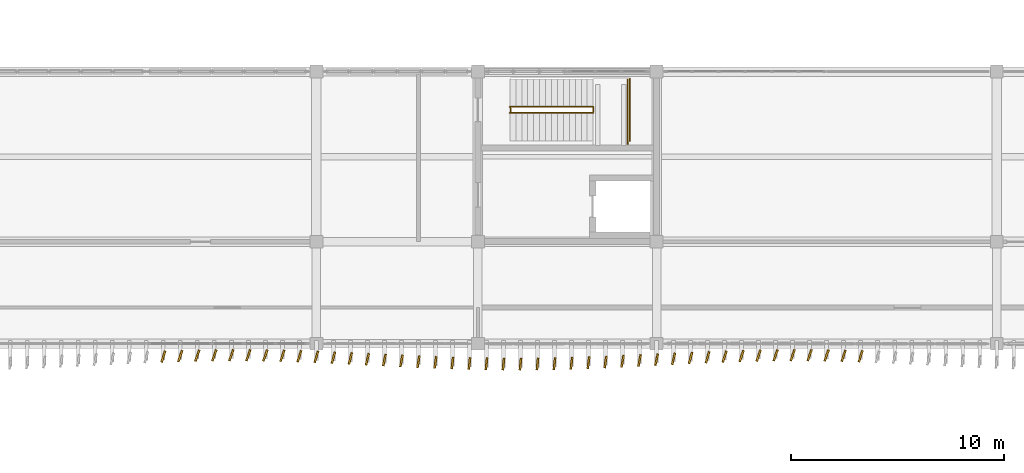
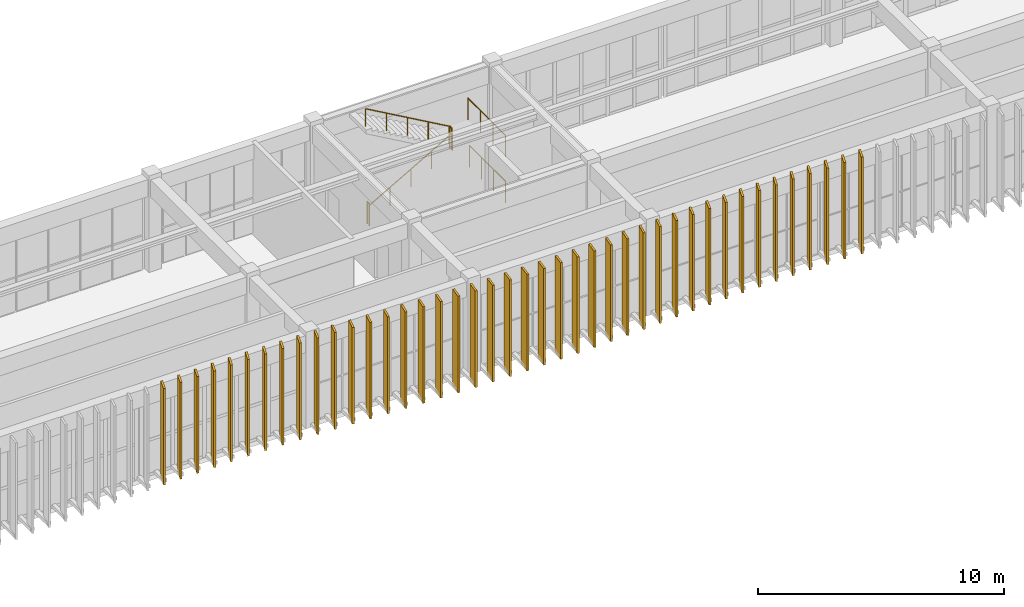
# One storey, part 69 of 76: 42 coverings, 6 railings.
"""IFC4 building model written with IfcOpenShell, lengths in metres."""

import ifcopenshell
import ifcopenshell.guid

model = None  # the IFC model being written
_history = None  # IfcOwnerHistory: only IFC2X3 demands one
_inside = {}  # id of a spatial element -> (the spatial element, [elements in it])
_under = {}  # id of a project, library or spatial element -> (it, [spatial elements below it])
_declared = {}  # id of a project -> (the project, [libraries it declares])
_typed = {}  # id of a type object -> (the type object, [elements of that type])
_made_of = {}  # id of a material, layer set ... -> (it, [elements and type objects made of it])


def new_model(schema):
    """Start an empty IFC model of exactly this schema.

    Asked for "IFC4X3", IfcOpenShell would pick the latest addendum, in which some entities
    have other attributes; the version numbers below select the first issue.
    IFC2X3 requires an IfcOwnerHistory on every rooted entity: one is made here for all.
    """
    global model, _history
    if schema == "IFC4X3":
        model = ifcopenshell.file(schema_version=(4, 3, 0, 0))
    else:
        model = ifcopenshell.file(schema=schema)
    _inside.clear()
    _under.clear()
    _declared.clear()
    _typed.clear()
    _made_of.clear()
    _history = None
    if model.schema == "IFC2X3":
        org = make("IfcOrganization", Name="unknown")
        user = make(
            "IfcPersonAndOrganization",
            ThePerson=make("IfcPerson", FamilyName="unknown"),
            TheOrganization=org,
        )
        app = make(
            "IfcApplication",
            ApplicationDeveloper=org,
            Version="unknown",
            ApplicationFullName="unknown",
            ApplicationIdentifier="unknown",
        )
        _history = make(
            "IfcOwnerHistory",
            OwningUser=user,
            OwningApplication=app,
            ChangeAction="ADDED",
            CreationDate=0,
        )
    return model


def make(cls, **values):
    """One entity of the class cls with the attributes given. An attribute that is None is left unset."""
    return model.create_entity(
        cls, **{name: value for name, value in values.items() if value is not None}
    )


def rooted(cls, **values):
    """An entity with a GlobalId (a new one), such as an element, a storey or a relation."""
    return make(cls, GlobalId=ifcopenshell.guid.new(), OwnerHistory=_history, **values)


def si_unit(unit_type, name, prefix=None):
    """IfcSIUnit, for example si_unit("LENGTHUNIT", "METRE", prefix="MILLI")."""
    return make("IfcSIUnit", UnitType=unit_type, Prefix=prefix, Name=name)


def assignment(units):
    """IfcUnitAssignment: the units of a project."""
    return None if units is None else make("IfcUnitAssignment", Units=units)


def point(xyz):
    """IfcCartesianPoint."""
    return None if xyz is None else make("IfcCartesianPoint", Coordinates=xyz)


def direction(xyz):
    """IfcDirection."""
    return None if xyz is None else make("IfcDirection", DirectionRatios=xyz)


def frame(location, z_axis=None, x_axis=None):
    """IfcAxis2Placement3D, a coordinate frame: its origin and axes. An axis left out is left unset."""
    return make(
        "IfcAxis2Placement3D",
        Location=point(location),
        Axis=direction(z_axis),
        RefDirection=direction(x_axis),
    )


def frame_2d(location, x_axis=None):
    """IfcAxis2Placement2D, a coordinate frame in the plane: its origin and x axis."""
    return make(
        "IfcAxis2Placement2D", Location=point(location), RefDirection=direction(x_axis)
    )


def origin():
    """The frame at (0, 0, 0) with its axes left unset."""
    return frame((0.0, 0.0, 0.0))


def origin_2d():
    """The frame at (0, 0) in the plane with its x axis left unset."""
    return frame_2d((0.0, 0.0))


def place(relative_to, where):
    """IfcLocalPlacement: puts the frame where relative to a parent placement (None: the world)."""
    return make(
        "IfcLocalPlacement", PlacementRelTo=relative_to, RelativePlacement=where
    )


def context(
    kind, dimensions, precision=None, world=None, true_north=None, identifier=None
):
    """IfcGeometricRepresentationContext, for example the 3D "Model" context."""
    return make(
        "IfcGeometricRepresentationContext",
        ContextIdentifier=identifier,
        ContextType=kind,
        CoordinateSpaceDimension=dimensions,
        Precision=precision,
        WorldCoordinateSystem=world,
        TrueNorth=true_north,
    )


def subcontext(parent, identifier, kind, view, scale=None):
    """IfcGeometricRepresentationSubContext, for example "Body" below "Model"."""
    return make(
        "IfcGeometricRepresentationSubContext",
        ContextIdentifier=identifier,
        ContextType=kind,
        ParentContext=parent,
        TargetScale=scale,
        TargetView=view,
    )


def project(units=None, contexts=None):
    """IfcProject with its units and contexts."""
    return rooted(
        "IfcProject",
        Name="project",
        RepresentationContexts=contexts,
        UnitsInContext=assignment(units),
    )


def spatial(cls, under=None, at=None, **own):
    """A site, building, storey or space (cls), placed at a placement, below another one or the project."""
    s = rooted(cls, ObjectPlacement=at, **own)
    if under is not None:
        _under.setdefault(under.id(), (under, []))[1].append(s)
    return s


def profile(cls, at=None, kind="AREA", **sizes):
    """A parametric profile (cls). Its sizes go by their IFC names, for example OverallWidth=200.0."""
    return make(cls, ProfileType=kind, Position=at, **sizes)


def rectangle(**sizes):
    """IfcRectangleProfileDef."""
    return profile("IfcRectangleProfileDef", **sizes)


def circle(**sizes):
    """IfcCircleProfileDef."""
    return profile("IfcCircleProfileDef", **sizes)


def extrude(swept, where, along, depth):
    """IfcExtrudedAreaSolid: the profile swept, set in the frame where, extruded along a direction by depth."""
    return make(
        "IfcExtrudedAreaSolid",
        SweptArea=swept,
        Position=where,
        ExtrudedDirection=direction(along),
        Depth=depth,
    )


def shape(context_of_items, identifier, shape_type, items):
    """IfcShapeRepresentation: the items that make up one representation, for example the "Body"."""
    return make(
        "IfcShapeRepresentation",
        ContextOfItems=context_of_items,
        RepresentationIdentifier=identifier,
        RepresentationType=shape_type,
        Items=items,
    )


def material(Name=None, Category=None):
    """IfcMaterial."""
    return make("IfcMaterial", Name=Name, Category=Category)


def layer(
    of_material, thickness, ventilated=None, Name=None, Category=None, Priority=None
):
    """IfcMaterialLayer: one layer of a wall or slab, of a material (None: an air gap)."""
    return make(
        "IfcMaterialLayer",
        Material=of_material,
        LayerThickness=thickness,
        IsVentilated=ventilated,
        Name=Name,
        Category=Category,
        Priority=Priority,
    )


def layer_set(layers, Name=None):
    """IfcMaterialLayerSet."""
    return make("IfcMaterialLayerSet", MaterialLayers=layers, LayerSetName=Name)


def made_of(thing, what):
    """Note that an element or type object is made of a material, layer set ...; save() writes the relation."""
    if what is not None:
        _made_of.setdefault(what.id(), (what, []))[1].append(thing)
    return thing


def type_object(cls, material=None, **own):
    """A type object (cls), such as IfcWallType, which elements share."""
    return made_of(rooted(cls, **own), material)


def element(
    cls,
    number,
    at=None,
    inside=None,
    cuts=None,
    type_object=None,
    material=None,
    context=None,
    identifier="Body",
    shape_type=None,
    held_by="IfcProductDefinitionShape",
    body=None,
    shapes=None,
    **own,
):
    """One element of the class cls, such as IfcWall. Its Tag is "e" and its number.

    at: its placement. inside: the storey or other place that contains it. cuts: it is an
    opening in that element (IfcRelVoidsElement). A single representation is given by context,
    identifier, shape_type and body (its items); several are given by shapes. held_by: the class
    of the entity that holds the representations. save() writes the other relations.
    """
    e = rooted(cls, Tag="e%d" % number, ObjectPlacement=at, **own)
    if body is not None:
        shapes = [shape(context, identifier, shape_type, body)]
    if shapes is not None:
        e.Representation = make(held_by, Representations=shapes)
    if inside is not None:
        _inside.setdefault(inside.id(), (inside, []))[1].append(e)
    if cuts is not None:
        rooted(
            "IfcRelVoidsElement", RelatingBuildingElement=cuts, RelatedOpeningElement=e
        )
    if type_object is not None:
        _typed.setdefault(type_object.id(), (type_object, []))[1].append(e)
    return made_of(e, material)


def aggregate(whole, parts):
    """IfcRelAggregates: a whole, such as a stair, and the parts it consists of."""
    return rooted("IfcRelAggregates", RelatingObject=whole, RelatedObjects=parts)


def save(model, path):
    """Write the relations noted so far, then the file.

    IfcRelAggregates (storeys below a building ...), IfcRelContainedInSpatialStructure (elements
    in a storey), IfcRelDefinesByType, IfcRelAssociatesMaterial and IfcRelDeclares: one each for
    every whole, place, type object, material and project.
    """
    for whole, parts in _under.values():
        aggregate(whole, parts)
    for where, things in _inside.values():
        rooted(
            "IfcRelContainedInSpatialStructure",
            RelatedElements=things,
            RelatingStructure=where,
        )
    for kind, things in _typed.values():
        rooted("IfcRelDefinesByType", RelatedObjects=things, RelatingType=kind)
    for what, things in _made_of.values():
        rooted("IfcRelAssociatesMaterial", RelatedObjects=things, RelatingMaterial=what)
    for by, libraries in _declared.values():
        rooted("IfcRelDeclares", RelatingContext=by, RelatedDefinitions=libraries)
    model.write(path)


model = new_model("IFC4")

# Units and contexts
model_context = context("Model", 3, precision=1e-05, world=origin(), true_north=direction((0.0, 1.0)))
body_context = subcontext(model_context, "Body", "Model", "MODEL_VIEW")
ifc_project = project(units=[si_unit("LENGTHUNIT", "METRE"), si_unit("AREAUNIT", "SQUARE_METRE"), si_unit("VOLUMEUNIT", "CUBIC_METRE"), si_unit("PLANEANGLEUNIT", "RADIAN"), si_unit("MASSUNIT", "GRAM", prefix="KILO")], contexts=[model_context])

# Site, building, storey
site_placement = place(None, origin())
site = spatial("IfcSite", under=ifc_project, at=site_placement, CompositionType="ELEMENT")
building_placement = place(site_placement, origin())
building = spatial("IfcBuilding", under=site, at=building_placement, Name="Cinchona Park Media Centre", CompositionType="ELEMENT")
storey_placement = place(building_placement, frame((0.0, 0.0, 15.60009765625)))
storey = spatial("IfcBuildingStorey", under=building, at=storey_placement, Name="L03", CompositionType="ELEMENT", Elevation=15.60009765625)

# Coverings
ifc_material_1 = material(Name="Anodised Storm-Resistant Aluminium Fin", Category="aluminium")
ifc_layer = layer(ifc_material_1, 0.090087890625)
ifc_layer_set = layer_set([ifc_layer], Name="Anodised Storm-Resistant Aluminium Fin")
covering_type = type_object("IfcCoveringType", Name="CLADDING-FIN01", PredefinedType="CLADDING", material=ifc_layer_set)
for number, where, z_axis, x_axis, name in (
    (1, (71.60009765625, 74.195068359375, 0.0), (0.0, 0.0, 1.0), (0.306193796821, 0.951969200546, 0.0), "Twisting Vertical Facade Fin L03"),
    (2, (72.39990234375, 74.220947265625, 0.0), (0.0, 0.0, 1.0), (0.320612990586, 0.947210277746, 0.0), "Twisting Vertical Facade Fin L03"),
    (3, (73.199951171875, 74.240966796875, 0.0), (0.0, 0.0, 1.0), (0.331667216146, 0.943396447807, 0.0), "Twisting Vertical Facade Fin L03"),
    (4, (74.0, 74.25390625, 0.0), (0.0, 0.0, 1.0), (0.338737920245, 0.940880768954, 0.0), "Twisting Vertical Facade Fin L03"),
    (5, (74.800048828125, 74.260009765625, 0.0), (0.0, 0.0, 1.0), (0.341856130815, 0.939752300249, 0.0), "Twisting Vertical Facade Fin L03"),
    (6, (75.60009765625, 74.258056640625, 0.0), (0.0, 0.0, 1.0), (0.340871837244, 0.94010977581, 0.0), "Twisting Vertical Facade Fin L03"),
    (7, (76.39990234375, 74.248046875, 0.0), (0.0, 0.0, 1.0), (0.335780389393, 0.941940300709, 0.0), "Twisting Vertical Facade Fin L03"),
    (8, (77.199951171875, 74.23193359375, 0.0), (0.0, 0.0, 1.0), (0.3265581205, 0.945177123049, 0.0), "Twisting Vertical Facade Fin L03"),
    (9, (78.0, 74.208984375, 0.0), (0.0, 0.0, 1.0), (0.31382674518, 0.949480265203, 0.0), "Twisting Vertical Facade Fin L03"),
    (10, (78.800048828125, 74.179931640625, 0.0), (0.0, 0.0, 1.0), (0.297874744877, 0.954604963513, 0.0), "Twisting Vertical Facade Fin L03"),
    (11, (79.60009765625, 74.14599609375, 0.0), (0.0, 0.0, 1.0), (0.279158704655, 0.960244977917, 0.0), "Twisting Vertical Facade Fin L03"),
    (12, (80.39990234375, 74.10888671875, 0.0), (0.0, 0.0, 1.0), (0.258313252067, 0.966061211211, 0.0), "Twisting Vertical Facade Fin L03"),
    (13, (81.199951171875, 74.070068359375, 0.0), (0.0, 0.0, 1.0), (0.236329411694, 0.971672994977, 0.0), "Twisting Vertical Facade Fin L03"),
    (14, (82.0, 74.030029296875, 0.0), (0.0, 0.0, 1.0), (0.213541936916, 0.97693389806, 0.0), "Twisting Vertical Facade Fin L03"),
    (15, (82.800048828125, 73.990966796875, 0.0), (0.0, 0.0, 1.0), (0.191322947989, 0.981527141537, 0.0), "Twisting Vertical Facade Fin L03"),
    (16, (83.60009765625, 73.9541015625, 0.0), (0.0, 0.0, 1.0), (0.170037510451, 0.985437590637, 0.0), "Twisting Vertical Facade Fin L03"),
    (17, (84.39990234375, 73.919921875, 0.0), (0.0, 0.0, 1.0), (0.150743225348, 0.988572951285, 0.0), "Twisting Vertical Facade Fin L03"),
    (18, (85.199951171875, 73.89111328125, 0.0), (0.0, 0.0, 1.0), (0.134159142573, 0.990959799621, 0.0), "Twisting Vertical Facade Fin L03"),
    (19, (86.0, 73.867919921875, 0.0), (0.0, 0.0, 1.0), (0.120829884873, 0.992673228672, 0.0), "Twisting Vertical Facade Fin L03"),
    (20, (86.800048828125, 73.85205078125, 0.0), (0.0, 0.0, 1.0), (0.111122034978, 0.993806768614, 0.0), "Twisting Vertical Facade Fin L03"),
    (21, (87.60009765625, 73.842041015625, 0.0), (0.0, 0.0, 1.0), (0.105743422663, 0.994393447567, 0.0), "Twisting Vertical Facade Fin L03"),
    (22, (88.39990234375, 73.840087890625, 0.0), (0.0, 0.0, 1.0), (0.10470203849, 0.994503636562, 0.0), "Twisting Vertical Facade Fin L03"),
    (23, (89.199951171875, 73.845947265625, 0.0), (0.0, 0.0, 1.0), (0.107999355706, 0.994150963972, 0.0), "Twisting Vertical Facade Fin L03"),
    (24, (90.0, 73.85888671875, 0.0), (0.0, 0.0, 1.0), (0.115457263478, 0.993312448482, 0.0), "Twisting Vertical Facade Fin L03"),
    (25, (90.800048828125, 73.87890625, 0.0), (0.0, 0.0, 1.0), (0.127064608601, 0.99189444259, 0.0), "Twisting Vertical Facade Fin L03"),
    (26, (91.60009765625, 73.905029296875, 0.0), (0.0, 0.0, 1.0), (0.142110668555, 0.989850775563, 0.0), "Twisting Vertical Facade Fin L03"),
    (27, (92.39990234375, 73.93603515625, 0.0), (0.0, 0.0, 1.0), (0.160225753504, 0.987080395872, 0.0), "Twisting Vertical Facade Fin L03"),
    (28, (93.199951171875, 73.971923828125, 0.0), (0.0, 0.0, 1.0), (0.180519145251, 0.983571470813, 0.0), "Twisting Vertical Facade Fin L03"),
    (29, (94.0, 74.010009765625, 0.0), (0.0, 0.0, 1.0), (0.202445469766, 0.979293537082, 0.0), "Twisting Vertical Facade Fin L03"),
    (30, (94.800048828125, 74.050048828125, 0.0), (0.0, 0.0, 1.0), (0.224951054344, 0.974370064785, 0.0), "Twisting Vertical Facade Fin L03"),
    (31, (95.60009765625, 74.090087890625, 0.0), (0.0, 0.0, 1.0), (0.247337247968, 0.968929453452, 0.0), "Twisting Vertical Facade Fin L03"),
    (32, (96.39990234375, 74.1279296875, 0.0), (0.0, 0.0, 1.0), (0.268919820615, 0.963162566798, 0.0), "Twisting Vertical Facade Fin L03"),
    (33, (97.199951171875, 74.1640625, 0.0), (0.0, 0.0, 1.0), (0.288697611798, 0.957420330337, 0.0), "Twisting Vertical Facade Fin L03"),
    (34, (98.0, 74.195068359375, 0.0), (0.0, 0.0, 1.0), (0.306193796821, 0.951969200546, 0.0), "Twisting Vertical Facade Fin L03"),
    (35, (98.800048828125, 74.220947265625, 0.0), (0.0, 0.0, 1.0), (0.320612990586, 0.947210277746, 0.0), "Twisting Vertical Facade Fin L03"),
    (36, (99.60009765625, 74.240966796875, 0.0), (0.0, 0.0, 1.0), (0.331667216146, 0.943396447807, 0.0), "Twisting Vertical Facade Fin L03"),
    (37, (100.39990234375, 74.25390625, 0.0), (0.0, 0.0, 1.0), (0.338737920245, 0.940880768954, 0.0), "Twisting Vertical Facade Fin L03"),
    (38, (101.199951171875, 74.260009765625, 0.0), (0.0, 0.0, 1.0), (0.341856130815, 0.939752300249, 0.0), "Twisting Vertical Facade Fin L03"),
    (39, (102.0, 74.258056640625, 0.0), (0.0, 0.0, 1.0), (0.340871837244, 0.94010977581, 0.0), "Twisting Vertical Facade Fin L03"),
    (40, (102.800048828125, 74.248046875, 0.0), (0.0, 0.0, 1.0), (0.335780389393, 0.941940300709, 0.0), "Twisting Vertical Facade Fin L03"),
    (41, (103.60009765625, 74.23193359375, 0.0), (0.0, 0.0, 1.0), (0.3265581205, 0.945177123049, 0.0), "Twisting Vertical Facade Fin L03"),
    (42, (104.39990234375, 74.208984375, 0.0), (0.0, 0.0, 1.0), (0.31382674518, 0.949480265203, 0.0), "Twisting Vertical Facade Fin L03"),
):
    element("IfcCovering", number, at=place(storey_placement, frame(where, z_axis=z_axis, x_axis=x_axis)), inside=storey, type_object=covering_type, Name=name, PredefinedType="CLADDING", context=body_context, shape_type="SweptSolid", body=[
        extrude(rectangle(XDim=0.56005859375, YDim=0.090087890625, at=origin_2d()), origin(), (0.0, 0.0, 1.0), 4.800048828125),
    ])

# Railings
ifc_material_2 = material(Name="Painted Steel Stairwell Guardrail", Category="steel")
railing_type_1 = type_object("IfcRailingType", Name="RAILING-GR02", PredefinedType="GUARDRAIL", material=ifc_material_2)
railing_1_placement = place(storey_placement, frame((87.93505859375, 85.719970703125, 0.0)))
element("IfcRailing", 43, at=railing_1_placement, inside=storey, type_object=railing_type_1, Name="Stairwell Guardrail GR02 ST5 L03", PredefinedType="GUARDRAIL", context=body_context, shape_type="SweptSolid", body=[
    extrude(circle(Radius=0.02392578125, at=origin_2d()), frame((0.0, 0.0, 1.076171875), z_axis=(0.0, 1.0, 0.0), x_axis=(-1.0, 0.0, 0.0)), (0.0, 0.0, 1.0), 0.159912109375),
    extrude(circle(Radius=0.02099609375, at=origin_2d()), origin(), (0.0, 0.0, 1.0), 1.052001953125),
    extrude(circle(Radius=0.02099609375, at=origin_2d()), frame((0.0, 0.159912109375, 0.0)), (0.0, 0.0, 1.0), 1.052001953125),
])
railing_2_placement = place(storey_placement, frame((93.5400390625, 84.340087890625, 0.0)))
element("IfcRailing", 44, at=railing_2_placement, inside=storey, type_object=railing_type_1, Name="Stairwell East Guardrail GR02 ST5 L03", PredefinedType="GUARDRAIL", context=body_context, shape_type="SweptSolid", body=[
    extrude(circle(Radius=0.02392578125, at=origin_2d()), frame((0.0, 0.0, 1.076171875), z_axis=(0.0, 1.0, 0.0), x_axis=(-1.0, 0.0, 0.0)), (0.0, 0.0, 1.0), 2.919921875),
    extrude(circle(Radius=0.02099609375, at=origin_2d()), origin(), (0.0, 0.0, 1.0), 1.052001953125),
    extrude(circle(Radius=0.02099609375, at=origin_2d()), frame((0.0, 0.973388671875, 0.0)), (0.0, 0.0, 1.0), 1.052001953125),
    extrude(circle(Radius=0.02099609375, at=origin_2d()), frame((0.0, 1.946533203125, 0.0)), (0.0, 0.0, 1.0), 1.052001953125),
    extrude(circle(Radius=0.02099609375, at=origin_2d()), frame((0.0, 2.919921875, 0.0)), (0.0, 0.0, 1.0), 1.052001953125),
])
railing_3_placement = place(storey_placement, frame((91.820068359375, 85.719970703125, 2.39990234375)))
element("IfcRailing", 45, at=railing_3_placement, inside=storey, type_object=railing_type_1, Name="Half-Landing Guardrail GR02 ST5 L03", PredefinedType="GUARDRAIL", context=body_context, shape_type="SweptSolid", body=[
    extrude(circle(Radius=0.02392578125, at=origin_2d()), frame((0.0, 0.0, 1.076171875), z_axis=(0.0, 1.0, 0.0), x_axis=(-1.0, 0.0, 0.0)), (0.0, 0.0, 1.0), 0.159912109375),
    extrude(circle(Radius=0.02099609375, at=origin_2d()), origin(), (0.0, 0.0, 1.0), 1.052001953125),
    extrude(circle(Radius=0.02099609375, at=origin_2d()), frame((0.0, 0.159912109375, 0.0)), (0.0, 0.0, 1.0), 1.052001953125),
])
railing_4_placement = place(storey_placement, frame((93.449951171875, 84.18994140625, 2.39990234375)))
element("IfcRailing", 46, at=railing_4_placement, inside=storey, type_object=railing_type_1, Name="Half-Landing Back Guardrail GR02 ST5 L03", PredefinedType="GUARDRAIL", context=body_context, shape_type="SweptSolid", body=[
    extrude(circle(Radius=0.02392578125, at=origin_2d()), frame((0.0, 0.0, 1.076171875), z_axis=(0.0, 1.0, 0.0), x_axis=(-1.0, 0.0, 0.0)), (0.0, 0.0, 1.0), 3.050048828125),
    extrude(circle(Radius=0.02099609375, at=origin_2d()), origin(), (0.0, 0.0, 1.0), 1.052001953125),
    extrude(circle(Radius=0.02099609375, at=origin_2d()), frame((0.0, 1.0166015625, 0.0)), (0.0, 0.0, 1.0), 1.052001953125),
    extrude(circle(Radius=0.02099609375, at=origin_2d()), frame((0.0, 2.033447265625, 0.0)), (0.0, 0.0, 1.0), 1.052001953125),
    extrude(circle(Radius=0.02099609375, at=origin_2d()), frame((0.0, 3.050048828125, 0.0)), (0.0, 0.0, 1.0), 1.052001953125),
])
ifc_material_3 = material(Name="Brushed Stainless Steel Handrail", Category="steel")
railing_type_2 = type_object("IfcRailingType", Name="RAILING-HR01", PredefinedType="HANDRAIL", material=ifc_material_3)
railing_5_placement = place(storey_placement, frame((87.89990234375, 85.659912109375, 0.159912109375)))
element("IfcRailing", 47, at=railing_5_placement, inside=storey, type_object=railing_type_2, Name="Stair Handrail HR01 ST5 L03 F1", PredefinedType="HANDRAIL", context=body_context, shape_type="SweptSolid", body=[
    extrude(circle(Radius=0.02392578125, at=origin_2d()), frame((0.0, 0.0, 0.8759765625), z_axis=(0.86825312469, 0.0, 0.496121468458), x_axis=(0.0, 1.0, 0.0)), (0.0, 0.0, 1.0), 4.514892578125),
    extrude(circle(Radius=0.02099609375, at=origin_2d()), origin(), (0.0, 0.0, 1.0), 0.851806640625),
    extrude(circle(Radius=0.02099609375, at=origin_2d()), frame((0.97998046875, 0.0, 0.56005859375)), (0.0, 0.0, 1.0), 0.851806640625),
    extrude(circle(Radius=0.02099609375, at=origin_2d()), frame((1.9599609375, 0.0, 1.1201171875)), (0.0, 0.0, 1.0), 0.851806640625),
    extrude(circle(Radius=0.02099609375, at=origin_2d()), frame((2.940185546875, 0.0, 1.679931640625)), (0.0, 0.0, 1.0), 0.851806640625),
    extrude(circle(Radius=0.02099609375, at=origin_2d()), frame((3.920166015625, 0.0, 2.239990234375)), (0.0, 0.0, 1.0), 0.851806640625),
])
railing_6_placement = place(storey_placement, frame((91.820068359375, 85.93994140625, 2.559814453125)))
element("IfcRailing", 48, at=railing_6_placement, inside=storey, type_object=railing_type_2, Name="Stair Handrail HR01 ST5 L03 F2", PredefinedType="HANDRAIL", context=body_context, shape_type="SweptSolid", body=[
    extrude(circle(Radius=0.02392578125, at=origin_2d()), frame((0.0, 0.0, 0.8759765625), z_axis=(-0.86825312469, 0.0, 0.496121468458), x_axis=(0.0, -1.0, 0.0)), (0.0, 0.0, 1.0), 4.514892578125),
    extrude(circle(Radius=0.02099609375, at=origin_2d()), origin(), (0.0, 0.0, 1.0), 0.851806640625),
    extrude(circle(Radius=0.02099609375, at=origin_2d()), frame((-0.97998046875, 0.0, 0.56005859375)), (0.0, 0.0, 1.0), 0.851806640625),
    extrude(circle(Radius=0.02099609375, at=origin_2d()), frame((-1.9599609375, 0.0, 1.1201171875)), (0.0, 0.0, 1.0), 0.851806640625),
    extrude(circle(Radius=0.02099609375, at=origin_2d()), frame((-2.940185546875, 0.0, 1.679931640625)), (0.0, 0.0, 1.0), 0.851806640625),
    extrude(circle(Radius=0.02099609375, at=origin_2d()), frame((-3.920166015625, 0.0, 2.239990234375)), (0.0, 0.0, 1.0), 0.851806640625),
])

save(model, "model.ifc")
